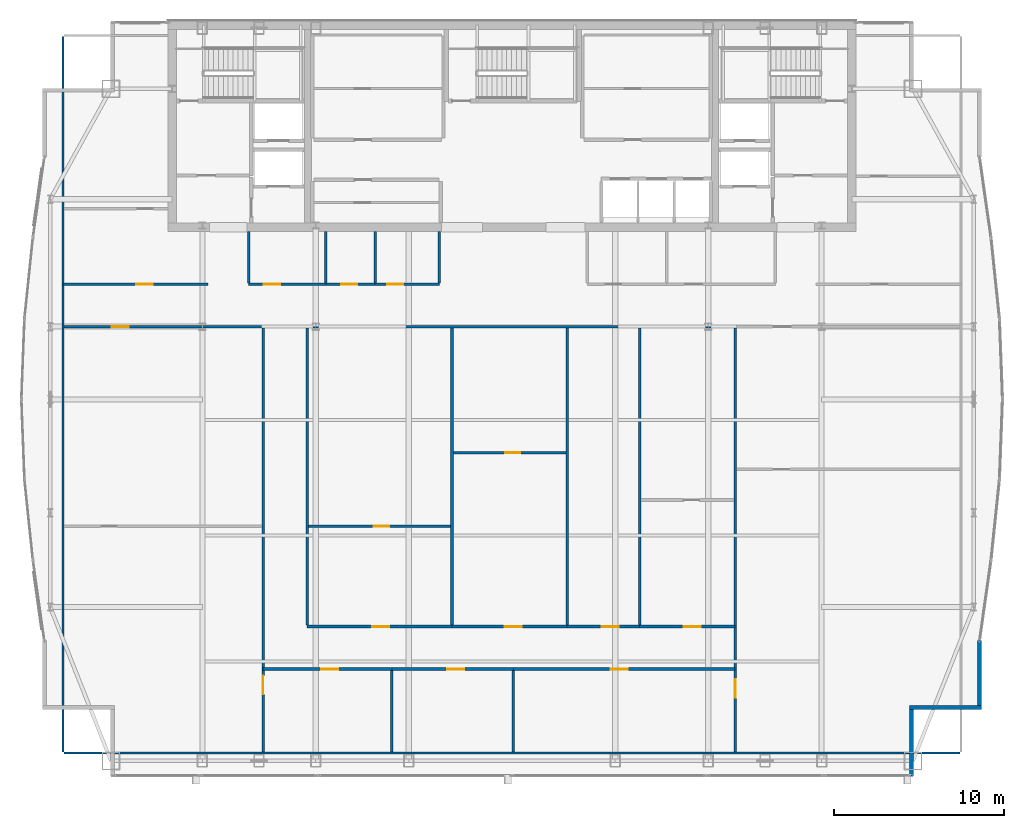
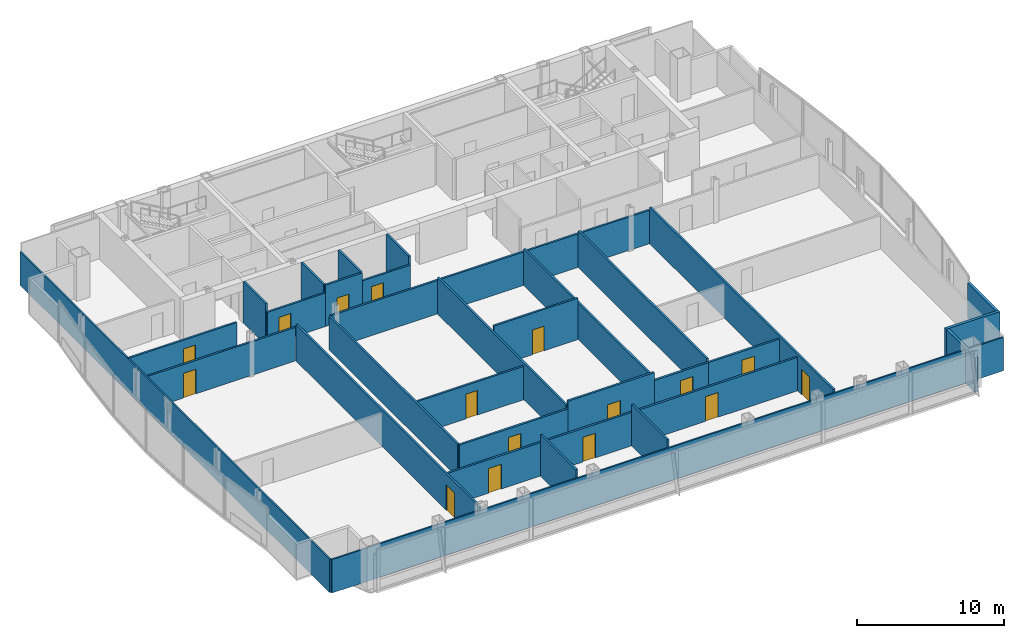
# One storey, part 25 of 30: 32 walls, 16 doors, 16 openings.
"""IFC4 building model written with IfcOpenShell, lengths in metres."""

from ifc_helpers import new_model, si_unit, direction, frame, frame_2d, origin, place, context, subcontext, project, spatial, rectangle, extrude, material, layer, layer_set, type_object, element, fill, save


model = new_model("IFC4")

# Units and contexts
model_context = context("Model", 3, precision=1e-05, world=origin(), true_north=direction((0.0, 1.0)))
body_context = subcontext(model_context, "Body", "Model", "MODEL_VIEW")
ifc_project = project(units=[si_unit("LENGTHUNIT", "METRE"), si_unit("AREAUNIT", "SQUARE_METRE"), si_unit("VOLUMEUNIT", "CUBIC_METRE"), si_unit("PLANEANGLEUNIT", "RADIAN"), si_unit("MASSUNIT", "GRAM", prefix="KILO")], contexts=[model_context])

# Site, building, storey
site_placement = place(None, origin())
site = spatial("IfcSite", under=ifc_project, at=site_placement, CompositionType="ELEMENT")
building_placement = place(site_placement, origin())
building = spatial("IfcBuilding", under=site, at=building_placement, Name="Khoronbel Lancet Exchange", CompositionType="ELEMENT")
storey_placement = place(building_placement, frame((0.0, 0.0, 280.60009765625)))
storey = spatial("IfcBuildingStorey", under=building, at=storey_placement, Name="L72", CompositionType="ELEMENT", Elevation=280.60009765625)

# Walls
ifc_material_1 = material(Name="Precast concrete C40/50", Category="concrete")
ifc_layer_1 = layer(ifc_material_1, 0.25, Name="Precast concrete C40/50")
ifc_layer_set_1 = layer_set([ifc_layer_1], Name="Precast concrete C40/50")
wall_type_1 = type_object("IfcWallType", Name="WL-EXT250", PredefinedType="SOLIDWALL", material=ifc_layer_set_1)
wall_1_placement = place(storey_placement, frame((63.9599609375, 17.226318359375, 0.0), z_axis=(0.0, 0.0, 1.0), x_axis=(0.0, -1.0, 0.0)))
element("IfcWall", 1, at=wall_1_placement, inside=storey, type_object=wall_type_1, Name="Level L72 notched-corner limestone pier 23", PredefinedType="SOLIDWALL", context=body_context, shape_type="SweptSolid", body=[
    extrude(rectangle(XDim=3.826416015625, YDim=0.219970703125, at=frame_2d((1.9130859375, 0.0))), origin(), (0.0, 0.0, 1.0), 2.8798828125),
])
wall_2_placement = place(storey_placement, frame((64.070068359375, 13.2900390625, 0.0), z_axis=(0.0, 0.0, 1.0), x_axis=(-1.0, 0.0, 0.0)))
element("IfcWall", 2, at=wall_2_placement, inside=storey, type_object=wall_type_1, Name="Level L72 notched-corner limestone pier 24", PredefinedType="SOLIDWALL", context=body_context, shape_type="SweptSolid", body=[
    extrude(rectangle(XDim=4.219970703125, YDim=0.219970703125, at=frame_2d((2.10986328125, 0.0))), origin(), (0.0, 0.0, 1.0), 2.8798828125),
])
wall_3_placement = place(storey_placement, frame((59.9599609375, 13.179931640625, 0.0), z_axis=(0.0, 0.0, 1.0), x_axis=(0.0, -1.0, 0.0)))
element("IfcWall", 3, at=wall_3_placement, inside=storey, type_object=wall_type_1, Name="Level L72 notched-corner limestone pier 25", PredefinedType="SOLIDWALL", context=body_context, shape_type="SweptSolid", body=[
    extrude(rectangle(XDim=3.909912109375, YDim=0.219970703125, at=frame_2d((1.955078125, 0.0))), origin(), (0.0, 0.0, 1.0), 2.8798828125),
])
ifc_material_2 = material(Name="Acoustic Metal-Stud & Mineral-Wool Gypsum Partition 120 mm", Category="gypsum")
ifc_layer_2 = layer(ifc_material_2, 0.1201171875, Name="Acoustic Metal-Stud & Mineral-Wool Gypsum Partition 120 mm")
ifc_layer_set_2 = layer_set([ifc_layer_2], Name="Acoustic Metal-Stud & Mineral-Wool Gypsum Partition 120 mm")
wall_type_2 = type_object("IfcWallType", Name="WL-PRT120", PredefinedType="PARTITIONING", material=ifc_layer_set_2)
for number, where, z_axis, x_axis, name in (
    (4, (20.949951171875, 38.280029296875, 0.0), (0.0, 0.0, 1.0), (0.0, 1.0, 0.0), "Level L72 interior partition PW-WC-0"),
    (5, (25.5, 38.280029296875, 0.0), (0.0, 0.0, 1.0), (0.0, 1.0, 0.0), "Level L72 interior partition PW-WC-1"),
    (6, (28.39990234375, 38.280029296875, 0.0), (0.0, 0.0, 1.0), (0.0, 1.0, 0.0), "Level L72 interior partition PW-WC-2"),
    (7, (32.179931640625, 38.280029296875, 0.0), (0.0, 0.0, 1.0), (0.0, 1.0, 0.0), "Level L72 interior partition PW-WC-3"),
):
    element("IfcWall", number, at=place(storey_placement, frame(where, z_axis=z_axis, x_axis=x_axis)), inside=storey, type_object=wall_type_2, Name=name, PredefinedType="PARTITIONING", context=body_context, shape_type="SweptSolid", body=[
        extrude(rectangle(XDim=3.02001953125, YDim=0.14990234375, at=frame_2d((1.510009765625, 0.0))), origin(), (0.0, 0.0, 1.0), 3.43994140625),
    ])

# Wall, opening, door
wall_4_placement = place(storey_placement, frame((24.47998046875, 23.95068359375, 0.0), z_axis=(0.0, 0.0, 1.0), x_axis=(1.0, 0.0, 0.0)))
wall_4 = element("IfcWall", 8, at=wall_4_placement, inside=storey, type_object=wall_type_2, Name="Level L72 interior partition PW-Z4C-H1", PredefinedType="PARTITIONING", context=body_context, shape_type="SweptSolid", body=[
    extrude(rectangle(XDim=8.360107421875, YDim=0.14990234375, at=frame_2d((4.18017578125, 0.0))), origin(), (0.0, 0.0, 1.0), 2.77978515625),
])
opening_1_placement = place(wall_4_placement, frame((3.833984375, 0.0, 0.0)))
opening_1 = element("IfcOpeningElement", 9, at=opening_1_placement, cuts=wall_4, Name="Opening D5", PredefinedType="OPENING", context=body_context, shape_type="SweptSolid", body=[
    extrude(rectangle(XDim=0.89990234375, YDim=2.050048828125, at=frame_2d((0.449951171875, 1.02490234375))), frame((0.0, 0.0849609375, 0.0), z_axis=(0.0, -1.0, 0.0), x_axis=(1.0, 0.0, 0.0)), (0.0, 0.0, 1.0), 0.169921875),
])
ifc_material_3 = material(Name="Acoustic Timber Pantry & Support Door", Category="wood")
door_type_1 = type_object("IfcDoorType", Name="DR-D5", OperationType="NOTDEFINED", PredefinedType="DOOR", material=ifc_material_3)
door_1_placement = place(opening_1_placement, origin())
door_1 = element("IfcDoor", 10, at=door_1_placement, inside=storey, type_object=door_type_1, Name="Z4C inner door 1 L72-1", OperationType="SINGLE_SWING_LEFT", OverallHeight=2.050048828125, OverallWidth=0.89990234375, PredefinedType="DOOR", context=body_context, shape_type="SweptSolid", body=[
    extrude(rectangle(XDim=0.89990234375, YDim=2.050048828125, at=frame_2d((0.449951171875, 1.02490234375))), frame((0.0, 0.02490234375, 0.0), z_axis=(0.0, -1.0, 0.0), x_axis=(1.0, 0.0, 0.0)), (0.0, 0.0, 1.0), 0.050048828125),
])
fill(opening_1, door_1)

wall_5_placement = place(storey_placement, frame((33.0, 28.2802734375, 0.0), z_axis=(0.0, 0.0, 1.0), x_axis=(1.0, 0.0, 0.0)))
wall_5 = element("IfcWall", 11, at=wall_5_placement, inside=storey, type_object=wall_type_2, Name="Level L72 interior partition PW-Z4C-H2", PredefinedType="PARTITIONING", context=body_context, shape_type="SweptSolid", body=[
    extrude(rectangle(XDim=6.6162109375, YDim=0.14990234375, at=frame_2d((3.30810546875, 0.0))), origin(), (0.0, 0.0, 1.0), 3.43994140625),
])
opening_2_placement = place(wall_5_placement, frame((3.04931640625, 0.0, 0.0)))
opening_2 = element("IfcOpeningElement", 12, at=opening_2_placement, cuts=wall_5, Name="Opening D5", PredefinedType="OPENING", context=body_context, shape_type="SweptSolid", body=[
    extrude(rectangle(XDim=0.89990234375, YDim=2.050048828125, at=frame_2d((0.449951171875, 1.02490234375))), frame((0.0, 0.0849609375, 0.0), z_axis=(0.0, -1.0, 0.0), x_axis=(1.0, 0.0, 0.0)), (0.0, 0.0, 1.0), 0.169921875),
])
door_2_placement = place(opening_2_placement, origin())
door_2 = element("IfcDoor", 13, at=door_2_placement, inside=storey, type_object=door_type_1, Name="Z4C inner door 2 L72-1", OperationType="SINGLE_SWING_LEFT", OverallHeight=2.050048828125, OverallWidth=0.89990234375, PredefinedType="DOOR", context=body_context, shape_type="SweptSolid", body=[
    extrude(rectangle(XDim=0.89990234375, YDim=2.050048828125, at=frame_2d((0.449951171875, 1.02490234375))), frame((0.0, 0.02490234375, 0.0), z_axis=(0.0, -1.0, 0.0), x_axis=(1.0, 0.0, 0.0)), (0.0, 0.0, 1.0), 0.050048828125),
])
fill(opening_2, door_2)

# Walls
wall_6_placement = place(storey_placement, frame((10.030029296875, 10.6650390625, 0.0), z_axis=(0.0, 0.0, 1.0), x_axis=(0.0, 1.0, 0.0)))
element("IfcWall", 14, at=wall_6_placement, inside=storey, type_object=wall_type_2, Name="Level L72 interior partition PW-LIN-W", PredefinedType="PARTITIONING", context=body_context, shape_type="SweptSolid", body=[
    extrude(rectangle(XDim=42.10986328125, YDim=0.1201171875, at=frame_2d((21.054931640625, 0.0))), origin(), (0.0, 0.0, 1.0), 2.77978515625),
])
wall_7_placement = place(storey_placement, frame((10.094970703125, 10.60009765625, 0.0), z_axis=(0.0, 0.0, 1.0), x_axis=(1.0, 0.0, 0.0)))
element("IfcWall", 15, at=wall_7_placement, inside=storey, type_object=wall_type_2, Name="Level L72 interior partition PW-LIN-S", PredefinedType="PARTITIONING", context=body_context, shape_type="SweptSolid", body=[
    extrude(rectangle(XDim=52.7099609375, YDim=0.1201171875, at=frame_2d((26.35498046875, 0.0))), origin(), (0.0, 0.0, 1.0), 2.77978515625),
])

# Wall, opening, door
ifc_material_4 = material(Name="Fire-Rated Twin-Stud Acoustic Gypsum Partition 150 mm", Category="gypsum")
ifc_layer_3 = layer(ifc_material_4, 0.14990234375, Name="Fire-Rated Twin-Stud Acoustic Gypsum Partition 150 mm")
ifc_layer_set_3 = layer_set([ifc_layer_3], Name="Fire-Rated Twin-Stud Acoustic Gypsum Partition 150 mm")
wall_type_3 = type_object("IfcWallType", Name="WL-PRT150C", PredefinedType="PARTITIONING", material=ifc_layer_set_3)
wall_8_placement = place(storey_placement, frame((20.949951171875, 38.199951171875, 0.0), z_axis=(0.0, 0.0, 1.0), x_axis=(1.0, 0.0, 0.0)))
wall_8 = element("IfcWall", 16, at=wall_8_placement, inside=storey, type_object=wall_type_3, Name="Level L72 interior partition PW-WC-S1", PredefinedType="PARTITIONING", context=body_context, shape_type="SweptSolid", body=[
    extrude(rectangle(XDim=4.550048828125, YDim=0.14990234375, at=frame_2d((2.27490234375, 0.0))), origin(), (0.0, 0.0, 1.0), 2.77978515625),
])
opening_3_placement = place(wall_8_placement, frame((0.89990234375, 0.0, 0.0)))
opening_3 = element("IfcOpeningElement", 17, at=opening_3_placement, cuts=wall_8, Name="Opening D4", PredefinedType="OPENING", context=body_context, shape_type="SweptSolid", body=[
    extrude(rectangle(XDim=0.949951171875, YDim=2.050048828125, at=frame_2d((0.47509765625, 1.02490234375))), frame((0.0, 0.0849609375, 0.0), z_axis=(0.0, -1.0, 0.0), x_axis=(1.0, 0.0, 0.0)), (0.0, 0.0, 1.0), 0.169921875),
])
ifc_material_5 = material(Name="Moisture-Resistant HPL Washroom Door", Category="wood")
door_type_2 = type_object("IfcDoorType", Name="DR-D4", OperationType="NOTDEFINED", PredefinedType="DOOR", material=ifc_material_5)
door_3_placement = place(opening_3_placement, origin())
door_3 = element("IfcDoor", 18, at=door_3_placement, inside=storey, type_object=door_type_2, Name="Male washroom door L72-1", OperationType="SINGLE_SWING_LEFT", OverallHeight=2.050048828125, OverallWidth=0.949951171875, PredefinedType="DOOR", context=body_context, shape_type="SweptSolid", body=[
    extrude(rectangle(XDim=0.949951171875, YDim=2.050048828125, at=frame_2d((0.47509765625, 1.02490234375))), frame((0.0, 0.02490234375, 0.0), z_axis=(0.0, -1.0, 0.0), x_axis=(1.0, 0.0, 0.0)), (0.0, 0.0, 1.0), 0.050048828125),
])
fill(opening_3, door_3)

wall_9_placement = place(storey_placement, frame((25.5, 38.199951171875, 0.0), z_axis=(0.0, 0.0, 1.0), x_axis=(1.0, 0.0, 0.0)))
wall_9 = element("IfcWall", 19, at=wall_9_placement, inside=storey, type_object=wall_type_3, Name="Level L72 interior partition PW-WC-S2", PredefinedType="PARTITIONING", context=body_context, shape_type="SweptSolid", body=[
    extrude(rectangle(XDim=2.89990234375, YDim=0.14990234375, at=frame_2d((1.449951171875, 0.0))), origin(), (0.0, 0.0, 1.0), 3.43994140625),
])
opening_4_placement = place(wall_9_placement, frame((0.89990234375, 0.0, 0.0)))
opening_4 = element("IfcOpeningElement", 20, at=opening_4_placement, cuts=wall_9, Name="Opening D4", PredefinedType="OPENING", context=body_context, shape_type="SweptSolid", body=[
    extrude(rectangle(XDim=0.949951171875, YDim=2.050048828125, at=frame_2d((0.47509765625, 1.02490234375))), frame((0.0, 0.0849609375, 0.0), z_axis=(0.0, -1.0, 0.0), x_axis=(1.0, 0.0, 0.0)), (0.0, 0.0, 1.0), 0.169921875),
])
door_4_placement = place(opening_4_placement, origin())
door_4 = element("IfcDoor", 21, at=door_4_placement, inside=storey, type_object=door_type_2, Name="Female washroom door L72-1", OperationType="SINGLE_SWING_RIGHT", OverallHeight=2.050048828125, OverallWidth=0.949951171875, PredefinedType="DOOR", context=body_context, shape_type="SweptSolid", body=[
    extrude(rectangle(XDim=0.949951171875, YDim=2.050048828125, at=frame_2d((0.47509765625, 1.02490234375))), frame((0.0, 0.02490234375, 0.0), z_axis=(0.0, -1.0, 0.0), x_axis=(1.0, 0.0, 0.0)), (0.0, 0.0, 1.0), 0.050048828125),
])
fill(opening_4, door_4)

wall_10_placement = place(storey_placement, frame((28.39990234375, 38.199951171875, 0.0), z_axis=(0.0, 0.0, 1.0), x_axis=(1.0, 0.0, 0.0)))
wall_10 = element("IfcWall", 22, at=wall_10_placement, inside=storey, type_object=wall_type_3, Name="Level L72 interior partition PW-WC-S3", PredefinedType="PARTITIONING", context=body_context, shape_type="SweptSolid", body=[
    extrude(rectangle(XDim=3.780029296875, YDim=0.14990234375, at=frame_2d((1.89013671875, 0.0))), origin(), (0.0, 0.0, 1.0), 2.77978515625),
])
opening_5_placement = place(wall_10_placement, frame((0.699951171875, 0.0, 0.0)))
opening_5 = element("IfcOpeningElement", 23, at=opening_5_placement, cuts=wall_10, Name="Opening D4", PredefinedType="OPENING", context=body_context, shape_type="SweptSolid", body=[
    extrude(rectangle(XDim=0.949951171875, YDim=2.050048828125, at=frame_2d((0.47509765625, 1.02490234375))), frame((0.0, 0.0849609375, 0.0), z_axis=(0.0, -1.0, 0.0), x_axis=(1.0, 0.0, 0.0)), (0.0, 0.0, 1.0), 0.169921875),
])
door_5_placement = place(opening_5_placement, origin())
door_5 = element("IfcDoor", 24, at=door_5_placement, inside=storey, type_object=door_type_2, Name="Accessible WC door L72-1", OperationType="SINGLE_SWING_LEFT", OverallHeight=2.050048828125, OverallWidth=0.949951171875, PredefinedType="DOOR", context=body_context, shape_type="SweptSolid", body=[
    extrude(rectangle(XDim=0.949951171875, YDim=2.050048828125, at=frame_2d((0.47509765625, 1.02490234375))), frame((0.0, 0.02490234375, 0.0), z_axis=(0.0, -1.0, 0.0), x_axis=(1.0, 0.0, 0.0)), (0.0, 0.0, 1.0), 0.050048828125),
])
fill(opening_5, door_5)

wall_11_placement = place(storey_placement, frame((10.030029296875, 38.199951171875, 0.0), z_axis=(0.0, 0.0, 1.0), x_axis=(1.0, 0.0, 0.0)))
wall_11 = element("IfcWall", 25, at=wall_11_placement, inside=storey, type_object=wall_type_3, Name="Level L72 interior partition PW-NW-S", PredefinedType="PARTITIONING", context=body_context, shape_type="SweptSolid", body=[
    extrude(rectangle(XDim=8.52001953125, YDim=0.14990234375, at=frame_2d((4.260009765625, 0.0))), origin(), (0.0, 0.0, 1.0), 2.77978515625),
])
opening_6_placement = place(wall_11_placement, frame((4.320068359375, 0.0, 0.0)))
opening_6 = element("IfcOpeningElement", 26, at=opening_6_placement, cuts=wall_11, Name="Opening D1", PredefinedType="OPENING", context=body_context, shape_type="SweptSolid", body=[
    extrude(rectangle(XDim=0.949951171875, YDim=2.050048828125, at=frame_2d((0.47509765625, 1.02490234375))), frame((0.0, 0.0849609375, 0.0), z_axis=(0.0, -1.0, 0.0), x_axis=(1.0, 0.0, 0.0)), (0.0, 0.0, 1.0), 0.169921875),
])
ifc_material_6 = material(Name="Acoustic Veneered Timber & Bronze Frame Door", Category="wood")
door_type_3 = type_object("IfcDoorType", Name="DR-D1", OperationType="NOTDEFINED", PredefinedType="DOOR", material=ifc_material_6)
door_6_placement = place(opening_6_placement, origin())
door_6 = element("IfcDoor", 27, at=door_6_placement, inside=storey, type_object=door_type_3, Name="NW corner room door L72-1", OperationType="SINGLE_SWING_RIGHT", OverallHeight=2.050048828125, OverallWidth=0.949951171875, PredefinedType="DOOR", context=body_context, shape_type="SweptSolid", body=[
    extrude(rectangle(XDim=0.949951171875, YDim=2.050048828125, at=frame_2d((0.47509765625, 1.02490234375))), frame((0.0, 0.02490234375, 0.0), z_axis=(0.0, -1.0, 0.0), x_axis=(1.0, 0.0, 0.0)), (0.0, 0.0, 1.0), 0.050048828125),
])
fill(opening_6, door_6)

wall_12_placement = place(storey_placement, frame((21.800048828125, 10.6650390625, 0.0), z_axis=(0.0, 0.0, 1.0), x_axis=(0.0, 1.0, 0.0)))
wall_12 = element("IfcWall", 28, at=wall_12_placement, inside=storey, type_object=wall_type_3, Name="Level L72 interior partition PW-Z4-WW", PredefinedType="PARTITIONING", context=body_context, shape_type="SweptSolid", body=[
    extrude(rectangle(XDim=24.955078125, YDim=0.14990234375, at=frame_2d((12.4775390625, 0.0))), origin(), (0.0, 0.0, 1.0), 3.02978515625),
])
opening_7_placement = place(wall_12_placement, frame((3.39990234375, 0.0, 0.0)))
opening_7 = element("IfcOpeningElement", 29, at=opening_7_placement, cuts=wall_12, Name="Opening D6", PredefinedType="OPENING", context=body_context, shape_type="SweptSolid", body=[
    extrude(rectangle(XDim=1.10009765625, YDim=2.10009765625, at=frame_2d((0.550048828125, 1.050048828125))), frame((0.0, 0.0849609375, 0.0), z_axis=(0.0, -1.0, 0.0), x_axis=(1.0, 0.0, 0.0)), (0.0, 0.0, 1.0), 0.169921875),
])
ifc_material_7 = material(Name="Acoustic Bronze-Veneer Executive Suite Door", Category="wood")
door_type_4 = type_object("IfcDoorType", Name="DR-D6", OperationType="NOTDEFINED", PredefinedType="DOOR", material=ifc_material_7)
door_7_placement = place(opening_7_placement, origin())
door_7 = element("IfcDoor", 30, at=door_7_placement, inside=storey, type_object=door_type_4, Name="West lens presidential door L72-1", OperationType="SINGLE_SWING_RIGHT", OverallHeight=2.10009765625, OverallWidth=1.10009765625, PredefinedType="DOOR", context=body_context, shape_type="SweptSolid", body=[
    extrude(rectangle(XDim=1.10009765625, YDim=2.10009765625, at=frame_2d((0.550048828125, 1.050048828125))), frame((0.0, 0.02490234375, 0.0), z_axis=(0.0, -1.0, 0.0), x_axis=(1.0, 0.0, 0.0)), (0.0, 0.0, 1.0), 0.050048828125),
])
fill(opening_7, door_7)

wall_13_placement = place(storey_placement, frame((10.094970703125, 35.699951171875, 0.0), z_axis=(0.0, 0.0, 1.0), x_axis=(1.0, 0.0, 0.0)))
wall_13 = element("IfcWall", 31, at=wall_13_placement, inside=storey, type_object=wall_type_3, Name="Level L72 interior partition PW-Z4-WN", PredefinedType="PARTITIONING", context=body_context, shape_type="SweptSolid", body=[
    extrude(rectangle(XDim=11.625, YDim=0.14990234375, at=frame_2d((5.8125, 0.0))), origin(), (0.0, 0.0, 1.0), 2.77978515625),
])
opening_8_placement = place(wall_13_placement, frame((2.800048828125, 0.0, 0.0)))
opening_8 = element("IfcOpeningElement", 32, at=opening_8_placement, cuts=wall_13, Name="Opening D2", PredefinedType="OPENING", context=body_context, shape_type="SweptSolid", body=[
    extrude(rectangle(XDim=1.0, YDim=2.050048828125, at=frame_2d((0.5, 1.02490234375))), frame((0.0, 0.0849609375, 0.0), z_axis=(0.0, -1.0, 0.0), x_axis=(1.0, 0.0, 0.0)), (0.0, 0.0, 1.0), 0.169921875),
])
door_type_5 = type_object("IfcDoorType", Name="DR-D2", OperationType="NOTDEFINED", PredefinedType="DOOR", material=ifc_material_6)
door_8_placement = place(opening_8_placement, origin())
door_8 = element("IfcDoor", 33, at=door_8_placement, inside=storey, type_object=door_type_5, Name="West lens north door L72-1", OperationType="SINGLE_SWING_LEFT", OverallHeight=2.050048828125, OverallWidth=1.0, PredefinedType="DOOR", context=body_context, shape_type="SweptSolid", body=[
    extrude(rectangle(XDim=1.0, YDim=2.050048828125, at=frame_2d((0.5, 1.02490234375))), frame((0.0, 0.02490234375, 0.0), z_axis=(0.0, -1.0, 0.0), x_axis=(1.0, 0.0, 0.0)), (0.0, 0.0, 1.0), 0.050048828125),
])
fill(opening_8, door_8)

# Wall
wall_14_placement = place(storey_placement, frame((24.39990234375, 18.135009765625, 0.0), z_axis=(0.0, 0.0, 1.0), x_axis=(0.0, 1.0, 0.0)))
element("IfcWall", 34, at=wall_14_placement, inside=storey, type_object=wall_type_3, Name="Level L72 interior partition PW-Z4-WE", PredefinedType="PARTITIONING", context=body_context, shape_type="SweptSolid", body=[
    extrude(rectangle(XDim=17.485107421875, YDim=0.14990234375, at=frame_2d((8.74267578125, 0.0))), origin(), (0.0, 0.0, 1.0), 2.77978515625),
])

# Wall, opening, door
wall_15_placement = place(storey_placement, frame((49.580078125, 10.6650390625, 0.0), z_axis=(0.0, 0.0, 1.0), x_axis=(0.0, 1.0, 0.0)))
wall_15 = element("IfcWall", 35, at=wall_15_placement, inside=storey, type_object=wall_type_3, Name="Level L72 interior partition PW-Z4-PE", PredefinedType="PARTITIONING", context=body_context, shape_type="SweptSolid", body=[
    extrude(rectangle(XDim=24.955078125, YDim=0.14990234375, at=frame_2d((12.4775390625, 0.0))), origin(), (0.0, 0.0, 1.0), 3.02978515625),
])
opening_9_placement = place(wall_15_placement, frame((3.199951171875, 0.0, 0.0)))
opening_9 = element("IfcOpeningElement", 36, at=opening_9_placement, cuts=wall_15, Name="Opening D6", PredefinedType="OPENING", context=body_context, shape_type="SweptSolid", body=[
    extrude(rectangle(XDim=1.10009765625, YDim=2.10009765625, at=frame_2d((0.550048828125, 1.050048828125))), frame((0.0, 0.0849609375, 0.0), z_axis=(0.0, -1.0, 0.0), x_axis=(1.0, 0.0, 0.0)), (0.0, 0.0, 1.0), 0.169921875),
])
door_9_placement = place(opening_9_placement, origin())
door_9 = element("IfcDoor", 37, at=door_9_placement, inside=storey, type_object=door_type_4, Name="East lens south door L72-1", OperationType="SINGLE_SWING_LEFT", OverallHeight=2.10009765625, OverallWidth=1.10009765625, PredefinedType="DOOR", context=body_context, shape_type="SweptSolid", body=[
    extrude(rectangle(XDim=1.10009765625, YDim=2.10009765625, at=frame_2d((0.550048828125, 1.050048828125))), frame((0.0, 0.02490234375, 0.0), z_axis=(0.0, -1.0, 0.0), x_axis=(1.0, 0.0, 0.0)), (0.0, 0.0, 1.0), 0.050048828125),
])
fill(opening_9, door_9)

# Walls
wall_16_placement = place(storey_placement, frame((24.47998046875, 35.699951171875, 0.0), z_axis=(0.0, 0.0, 1.0), x_axis=(1.0, 0.0, 0.0)))
element("IfcWall", 38, at=wall_16_placement, inside=storey, type_object=wall_type_3, Name="Level L72 interior partition PW-Z4-EN1", PredefinedType="PARTITIONING", context=body_context, shape_type="SweptSolid", body=[
    extrude(rectangle(XDim=25.02001953125, YDim=0.14990234375, at=frame_2d((12.510009765625, 0.0))), origin(), (0.0, 0.0, 1.0), 2.77978515625),
])
for number, where, z_axis, x_axis, name in (
    (39, (32.919921875, 18.135009765625, 0.0), (0.0, 0.0, 1.0), (0.0, 1.0, 0.0), "Level L72 interior partition PW-Z4C-V1"),
    (40, (39.696044921875, 18.135009765625, 0.0), (0.0, 0.0, 1.0), (0.0, 1.0, 0.0), "Level L72 interior partition PW-Z4C-V2"),
    (41, (43.9560546875, 18.135009765625, 0.0), (0.0, 0.0, 1.0), (0.0, 1.0, 0.0), "Level L72 interior partition PW-Z4C-V3"),
):
    element("IfcWall", number, at=place(storey_placement, frame(where, z_axis=z_axis, x_axis=x_axis)), inside=storey, type_object=wall_type_3, Name=name, PredefinedType="PARTITIONING", context=body_context, shape_type="SweptSolid", body=[
        extrude(rectangle(XDim=17.485107421875, YDim=0.14990234375, at=frame_2d((8.74267578125, 0.0))), origin(), (0.0, 0.0, 1.0), 3.02978515625),
    ])
for number, where, z_axis, x_axis, name in (
    (42, (29.37646484375, 10.6650390625, 0.0), (0.0, 0.0, 1.0), (0.0, 1.0, 0.0), "Level L72 interior partition PW-Z4S-V1"),
    (43, (36.53173828125, 10.6650390625, 0.0), (0.0, 0.0, 1.0), (0.0, 1.0, 0.0), "Level L72 interior partition PW-Z4S-V2"),
):
    element("IfcWall", number, at=place(storey_placement, frame(where, z_axis=z_axis, x_axis=x_axis)), inside=storey, type_object=wall_type_3, Name=name, PredefinedType="PARTITIONING", context=body_context, shape_type="SweptSolid", body=[
        extrude(rectangle(XDim=4.800048828125, YDim=0.14990234375, at=frame_2d((2.39990234375, 0.0))), origin(), (0.0, 0.0, 1.0), 3.43994140625),
    ])

# Wall, opening, door
ifc_material_8 = material(Name="Fire-Rated Twin-Stud Acoustic Gypsum Partition 160 mm", Category="gypsum")
ifc_layer_4 = layer(ifc_material_8, 0.159912109375, Name="Fire-Rated Twin-Stud Acoustic Gypsum Partition 160 mm")
ifc_layer_set_4 = layer_set([ifc_layer_4], Name="Fire-Rated Twin-Stud Acoustic Gypsum Partition 160 mm")
wall_type_4 = type_object("IfcWallType", Name="WL-PRT160C", PredefinedType="PARTITIONING", material=ifc_layer_set_4)
wall_17_placement = place(storey_placement, frame((24.39990234375, 18.050048828125, 0.0), z_axis=(0.0, 0.0, 1.0), x_axis=(1.0, 0.0, 0.0)))
wall_17 = element("IfcWall", 44, at=wall_17_placement, inside=storey, type_object=wall_type_4, Name="Level L72 interior partition PW-Z4C-COR1", PredefinedType="PARTITIONING", context=body_context, shape_type="SweptSolid", body=[
    extrude(rectangle(XDim=8.52001953125, YDim=0.159912109375, at=frame_2d((4.260009765625, 0.0))), origin(), (0.0, 0.0, 1.0), 2.77978515625),
])
opening_10_placement = place(wall_17_placement, frame((3.828369140625, 0.0, 0.0)))
opening_10 = element("IfcOpeningElement", 45, at=opening_10_placement, cuts=wall_17, Name="Opening D2", PredefinedType="OPENING", context=body_context, shape_type="SweptSolid", body=[
    extrude(rectangle(XDim=1.0, YDim=2.050048828125, at=frame_2d((0.5, 1.02490234375))), frame((0.0, 0.08984375, 0.0), z_axis=(0.0, -1.0, 0.0), x_axis=(1.0, 0.0, 0.0)), (0.0, 0.0, 1.0), 0.179931640625),
])
door_10_placement = place(opening_10_placement, origin())
door_10 = element("IfcDoor", 46, at=door_10_placement, inside=storey, type_object=door_type_5, Name="Z4C bay 1 door L72-1", OperationType="SINGLE_SWING_RIGHT", OverallHeight=2.050048828125, OverallWidth=1.0, PredefinedType="DOOR", context=body_context, shape_type="SweptSolid", body=[
    extrude(rectangle(XDim=1.0, YDim=2.050048828125, at=frame_2d((0.5, 1.02490234375))), frame((0.0, 0.02490234375, 0.0), z_axis=(0.0, -1.0, 0.0), x_axis=(1.0, 0.0, 0.0)), (0.0, 0.0, 1.0), 0.050048828125),
])
fill(opening_10, door_10)

wall_18_placement = place(storey_placement, frame((32.919921875, 18.050048828125, 0.0), z_axis=(0.0, 0.0, 1.0), x_axis=(1.0, 0.0, 0.0)))
wall_18 = element("IfcWall", 47, at=wall_18_placement, inside=storey, type_object=wall_type_4, Name="Level L72 interior partition PW-Z4C-COR2", PredefinedType="PARTITIONING", context=body_context, shape_type="SweptSolid", body=[
    extrude(rectangle(XDim=6.776123046875, YDim=0.159912109375, at=frame_2d((3.38818359375, 0.0))), origin(), (0.0, 0.0, 1.0), 3.43994140625),
])
opening_11_placement = place(wall_18_placement, frame((3.095947265625, 0.0, 0.0)))
opening_11 = element("IfcOpeningElement", 48, at=opening_11_placement, cuts=wall_18, Name="Opening D2", PredefinedType="OPENING", context=body_context, shape_type="SweptSolid", body=[
    extrude(rectangle(XDim=1.0, YDim=2.050048828125, at=frame_2d((0.5, 1.02490234375))), frame((0.0, 0.08984375, 0.0), z_axis=(0.0, -1.0, 0.0), x_axis=(1.0, 0.0, 0.0)), (0.0, 0.0, 1.0), 0.179931640625),
])
door_11_placement = place(opening_11_placement, origin())
door_11 = element("IfcDoor", 49, at=door_11_placement, inside=storey, type_object=door_type_5, Name="Z4C bay 2 door L72-1", OperationType="SINGLE_SWING_RIGHT", OverallHeight=2.050048828125, OverallWidth=1.0, PredefinedType="DOOR", context=body_context, shape_type="SweptSolid", body=[
    extrude(rectangle(XDim=1.0, YDim=2.050048828125, at=frame_2d((0.5, 1.02490234375))), frame((0.0, 0.02490234375, 0.0), z_axis=(0.0, -1.0, 0.0), x_axis=(1.0, 0.0, 0.0)), (0.0, 0.0, 1.0), 0.050048828125),
])
fill(opening_11, door_11)

wall_19_placement = place(storey_placement, frame((39.696044921875, 18.050048828125, 0.0), z_axis=(0.0, 0.0, 1.0), x_axis=(1.0, 0.0, 0.0)))
wall_19 = element("IfcWall", 50, at=wall_19_placement, inside=storey, type_object=wall_type_4, Name="Level L72 interior partition PW-Z4C-COR3", PredefinedType="PARTITIONING", context=body_context, shape_type="SweptSolid", body=[
    extrude(rectangle(XDim=4.260009765625, YDim=0.159912109375, at=frame_2d((2.1298828125, 0.0))), origin(), (0.0, 0.0, 1.0), 2.77978515625),
])
opening_12_placement = place(wall_19_placement, frame((2.039306640625, 0.0, 0.0)))
opening_12 = element("IfcOpeningElement", 51, at=opening_12_placement, cuts=wall_19, Name="Opening D2", PredefinedType="OPENING", context=body_context, shape_type="SweptSolid", body=[
    extrude(rectangle(XDim=1.0, YDim=2.050048828125, at=frame_2d((0.5, 1.02490234375))), frame((0.0, 0.08984375, 0.0), z_axis=(0.0, -1.0, 0.0), x_axis=(1.0, 0.0, 0.0)), (0.0, 0.0, 1.0), 0.179931640625),
])
door_12_placement = place(opening_12_placement, origin())
door_12 = element("IfcDoor", 52, at=door_12_placement, inside=storey, type_object=door_type_5, Name="Z4C bay 3 door L72-1", OperationType="SINGLE_SWING_RIGHT", OverallHeight=2.050048828125, OverallWidth=1.0, PredefinedType="DOOR", context=body_context, shape_type="SweptSolid", body=[
    extrude(rectangle(XDim=1.0, YDim=2.050048828125, at=frame_2d((0.5, 1.02490234375))), frame((0.0, 0.02490234375, 0.0), z_axis=(0.0, -1.0, 0.0), x_axis=(1.0, 0.0, 0.0)), (0.0, 0.0, 1.0), 0.050048828125),
])
fill(opening_12, door_12)

wall_20_placement = place(storey_placement, frame((43.9560546875, 18.050048828125, 0.0), z_axis=(0.0, 0.0, 1.0), x_axis=(1.0, 0.0, 0.0)))
wall_20 = element("IfcWall", 53, at=wall_20_placement, inside=storey, type_object=wall_type_4, Name="Level L72 interior partition PW-Z4C-COR4", PredefinedType="PARTITIONING", context=body_context, shape_type="SweptSolid", body=[
    extrude(rectangle(XDim=5.6240234375, YDim=0.159912109375, at=frame_2d((2.81201171875, 0.0))), origin(), (0.0, 0.0, 1.0), 2.77978515625),
])
opening_13_placement = place(wall_20_placement, frame((2.612060546875, 0.0, 0.0)))
opening_13 = element("IfcOpeningElement", 54, at=opening_13_placement, cuts=wall_20, Name="Opening D2", PredefinedType="OPENING", context=body_context, shape_type="SweptSolid", body=[
    extrude(rectangle(XDim=1.0, YDim=2.050048828125, at=frame_2d((0.5, 1.02490234375))), frame((0.0, 0.08984375, 0.0), z_axis=(0.0, -1.0, 0.0), x_axis=(1.0, 0.0, 0.0)), (0.0, 0.0, 1.0), 0.179931640625),
])
door_13_placement = place(opening_13_placement, origin())
door_13 = element("IfcDoor", 55, at=door_13_placement, inside=storey, type_object=door_type_5, Name="Z4C bay 4 door L72-1", OperationType="SINGLE_SWING_LEFT", OverallHeight=2.050048828125, OverallWidth=1.0, PredefinedType="DOOR", context=body_context, shape_type="SweptSolid", body=[
    extrude(rectangle(XDim=1.0, YDim=2.050048828125, at=frame_2d((0.5, 1.02490234375))), frame((0.0, 0.02490234375, 0.0), z_axis=(0.0, -1.0, 0.0), x_axis=(1.0, 0.0, 0.0)), (0.0, 0.0, 1.0), 0.050048828125),
])
fill(opening_13, door_13)

wall_21_placement = place(storey_placement, frame((21.800048828125, 15.550048828125, 0.0), z_axis=(0.0, 0.0, 1.0), x_axis=(1.0, 0.0, 0.0)))
wall_21 = element("IfcWall", 56, at=wall_21_placement, inside=storey, type_object=wall_type_4, Name="Level L72 interior partition PW-Z4S-COR1", PredefinedType="PARTITIONING", context=body_context, shape_type="SweptSolid", body=[
    extrude(rectangle(XDim=7.576416015625, YDim=0.159912109375, at=frame_2d((3.7880859375, 0.0))), origin(), (0.0, 0.0, 1.0), 2.77978515625),
])
opening_14_placement = place(wall_21_placement, frame((3.43212890625, 0.0, 0.0)))
opening_14 = element("IfcOpeningElement", 57, at=opening_14_placement, cuts=wall_21, Name="Opening D2", PredefinedType="OPENING", context=body_context, shape_type="SweptSolid", body=[
    extrude(rectangle(XDim=1.0, YDim=2.050048828125, at=frame_2d((0.5, 1.02490234375))), frame((0.0, 0.08984375, 0.0), z_axis=(0.0, -1.0, 0.0), x_axis=(1.0, 0.0, 0.0)), (0.0, 0.0, 1.0), 0.179931640625),
])
door_14_placement = place(opening_14_placement, origin())
door_14 = element("IfcDoor", 58, at=door_14_placement, inside=storey, type_object=door_type_5, Name="Z4S bay 1 door L72-1", OperationType="SINGLE_SWING_LEFT", OverallHeight=2.050048828125, OverallWidth=1.0, PredefinedType="DOOR", context=body_context, shape_type="SweptSolid", body=[
    extrude(rectangle(XDim=1.0, YDim=2.050048828125, at=frame_2d((0.5, 1.02490234375))), frame((0.0, 0.02490234375, 0.0), z_axis=(0.0, -1.0, 0.0), x_axis=(1.0, 0.0, 0.0)), (0.0, 0.0, 1.0), 0.050048828125),
])
fill(opening_14, door_14)

wall_22_placement = place(storey_placement, frame((29.37646484375, 15.550048828125, 0.0), z_axis=(0.0, 0.0, 1.0), x_axis=(1.0, 0.0, 0.0)))
wall_22 = element("IfcWall", 59, at=wall_22_placement, inside=storey, type_object=wall_type_4, Name="Level L72 interior partition PW-Z4S-COR2", PredefinedType="PARTITIONING", context=body_context, shape_type="SweptSolid", body=[
    extrude(rectangle(XDim=7.1552734375, YDim=0.159912109375, at=frame_2d((3.57763671875, 0.0))), origin(), (0.0, 0.0, 1.0), 2.77978515625),
])
opening_15_placement = place(wall_22_placement, frame((3.25537109375, 0.0, 0.0)))
opening_15 = element("IfcOpeningElement", 60, at=opening_15_placement, cuts=wall_22, Name="Opening D2", PredefinedType="OPENING", context=body_context, shape_type="SweptSolid", body=[
    extrude(rectangle(XDim=1.0, YDim=2.050048828125, at=frame_2d((0.5, 1.02490234375))), frame((0.0, 0.08984375, 0.0), z_axis=(0.0, -1.0, 0.0), x_axis=(1.0, 0.0, 0.0)), (0.0, 0.0, 1.0), 0.179931640625),
])
door_15_placement = place(opening_15_placement, origin())
door_15 = element("IfcDoor", 61, at=door_15_placement, inside=storey, type_object=door_type_5, Name="Z4S bay 2 door L72-1", OperationType="SINGLE_SWING_RIGHT", OverallHeight=2.050048828125, OverallWidth=1.0, PredefinedType="DOOR", context=body_context, shape_type="SweptSolid", body=[
    extrude(rectangle(XDim=1.0, YDim=2.050048828125, at=frame_2d((0.5, 1.02490234375))), frame((0.0, 0.02490234375, 0.0), z_axis=(0.0, -1.0, 0.0), x_axis=(1.0, 0.0, 0.0)), (0.0, 0.0, 1.0), 0.050048828125),
])
fill(opening_15, door_15)

wall_23_placement = place(storey_placement, frame((36.53173828125, 15.550048828125, 0.0), z_axis=(0.0, 0.0, 1.0), x_axis=(1.0, 0.0, 0.0)))
wall_23 = element("IfcWall", 62, at=wall_23_placement, inside=storey, type_object=wall_type_4, Name="Level L72 interior partition PW-Z4S-COR3", PredefinedType="PARTITIONING", context=body_context, shape_type="SweptSolid", body=[
    extrude(rectangle(XDim=13.04833984375, YDim=0.159912109375, at=frame_2d((6.524169921875, 0.0))), origin(), (0.0, 0.0, 1.0), 2.77978515625),
])
opening_16_placement = place(wall_23_placement, frame((5.730224609375, 0.0, 0.0)))
opening_16 = element("IfcOpeningElement", 63, at=opening_16_placement, cuts=wall_23, Name="Opening D2", PredefinedType="OPENING", context=body_context, shape_type="SweptSolid", body=[
    extrude(rectangle(XDim=1.0, YDim=2.050048828125, at=frame_2d((0.5, 1.02490234375))), frame((0.0, 0.08984375, 0.0), z_axis=(0.0, -1.0, 0.0), x_axis=(1.0, 0.0, 0.0)), (0.0, 0.0, 1.0), 0.179931640625),
])
door_16_placement = place(opening_16_placement, origin())
door_16 = element("IfcDoor", 64, at=door_16_placement, inside=storey, type_object=door_type_5, Name="Z4S bay 3 door L72-1", OperationType="SINGLE_SWING_LEFT", OverallHeight=2.050048828125, OverallWidth=1.0, PredefinedType="DOOR", context=body_context, shape_type="SweptSolid", body=[
    extrude(rectangle(XDim=1.0, YDim=2.050048828125, at=frame_2d((0.5, 1.02490234375))), frame((0.0, 0.02490234375, 0.0), z_axis=(0.0, -1.0, 0.0), x_axis=(1.0, 0.0, 0.0)), (0.0, 0.0, 1.0), 0.050048828125),
])
fill(opening_16, door_16)

save(model, "model.ifc")
